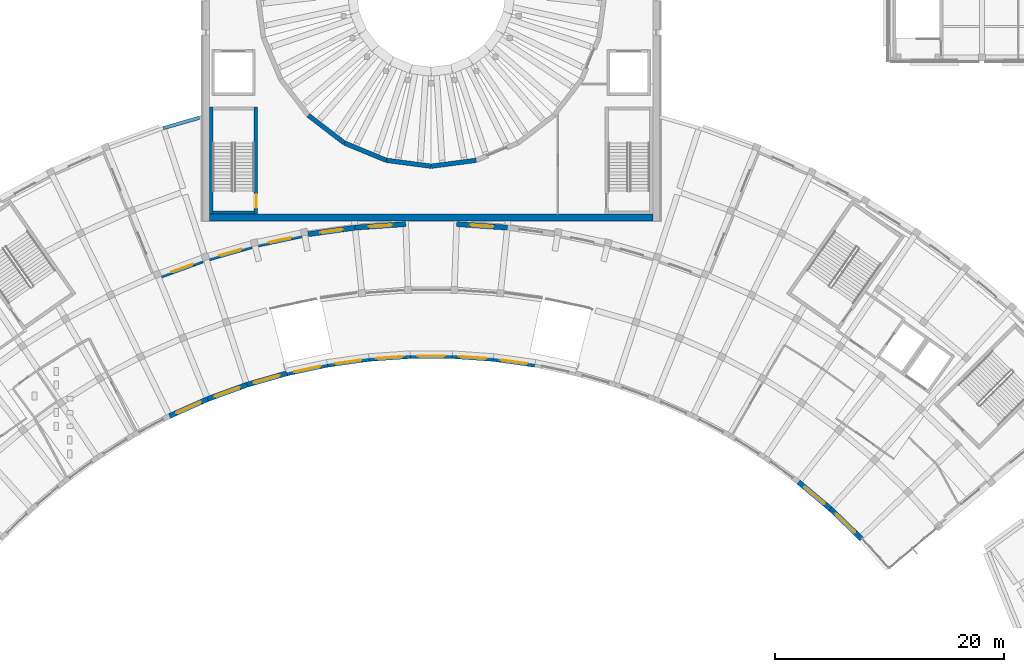
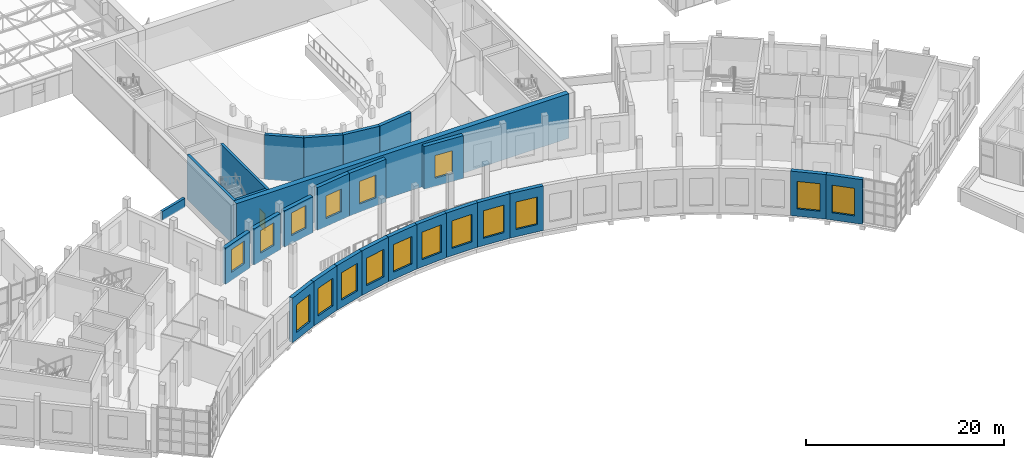
# One storey, part 70 of 132: 26 walls, 17 windows, 1 door, 18 openings.
"""IFC4 building model written with IfcOpenShell, lengths in metres."""

from ifc_helpers import new_model, si_unit, direction, frame, frame_2d, origin, place, context, subcontext, project, spatial, rectangle, extrude, material, layer, layer_set, type_object, element, fill, save


model = new_model("IFC4")

# Units and contexts
model_context = context("Model", 3, precision=1e-05, world=origin(), true_north=direction((0.0, 1.0)))
body_context = subcontext(model_context, "Body", "Model", "MODEL_VIEW")
ifc_project = project(units=[si_unit("LENGTHUNIT", "METRE"), si_unit("AREAUNIT", "SQUARE_METRE"), si_unit("VOLUMEUNIT", "CUBIC_METRE"), si_unit("PLANEANGLEUNIT", "RADIAN"), si_unit("MASSUNIT", "GRAM", prefix="KILO")], contexts=[model_context])

# Site, building, storey
site_placement = place(None, origin())
site = spatial("IfcSite", under=ifc_project, at=site_placement, CompositionType="ELEMENT")
building_placement = place(site_placement, origin())
building = spatial("IfcBuilding", under=site, at=building_placement, Name="Lunette Opera House", CompositionType="ELEMENT")
storey_placement = place(building_placement, frame((0.0, 0.0, 17.0)))
storey = spatial("IfcBuildingStorey", under=building, at=storey_placement, Name="L03", CompositionType="ELEMENT", Elevation=17.0)

# Wall, opening, window
ifc_material_1 = material(Name="Clinker brick", Category="masonry")
ifc_layer_1 = layer(ifc_material_1, 0.449951171875)
ifc_layer_set_1 = layer_set([ifc_layer_1], Name="Clinker brick")
wall_type_1 = type_object("IfcWallType", Name="ARM REAR WALL 450", PredefinedType="SOLIDWALL", material=ifc_layer_set_1)
wall_1_placement = place(storey_placement, frame((76.008056640625, 60.550048828125, 0.0), z_axis=(0.0, 0.0, 1.0), x_axis=(-0.939658091224, -0.342114997622, 0.0)))
wall_1 = element("IfcWall", 1, at=wall_1_placement, inside=storey, type_object=wall_type_1, Name="Arm Rear Wall 450 F01 L03", PredefinedType="SOLIDWALL", context=body_context, shape_type="SweptSolid", body=[
    extrude(rectangle(XDim=3.84716796875, YDim=0.449951171875, at=frame_2d((1.923583984375, 0.0))), origin(), (0.0, 0.0, 1.0), 4.47998046875),
])
opening_1_placement = place(wall_1_placement, frame((0.924072265625, 0.0, 1.0)))
opening_1 = element("IfcOpeningElement", 2, at=opening_1_placement, cuts=wall_1, Name="Opening FC-N2177", PredefinedType="OPENING", context=body_context, shape_type="SweptSolid", body=[
    extrude(rectangle(XDim=2.0, YDim=2.800048828125, at=frame_2d((1.0, 1.39990234375))), frame((0.0, 0.237060546875, 0.0), z_axis=(0.0, -1.0, 0.0), x_axis=(1.0, 0.0, 0.0)), (0.0, 0.0, 1.0), 0.473876953125),
])
ifc_material_2 = material(Name="Aluminium", Category="aluminium")
window_type_1 = type_object("IfcWindowType", Name="ARM WINDOW 2000 X 2800", PartitioningType="DOUBLE_PANEL_VERTICAL", PredefinedType="WINDOW", material=ifc_material_2)
window_1_placement = place(opening_1_placement, origin())
window_1 = element("IfcWindow", 3, at=window_1_placement, inside=storey, type_object=window_type_1, Name="Arm Window 2000 X 2800 F01 L03", OverallHeight=2.800048828125, OverallWidth=2.0, PartitioningType="DOUBLE_PANEL_VERTICAL", PredefinedType="WINDOW", context=body_context, shape_type="SweptSolid", body=[
    extrude(rectangle(XDim=2.0, YDim=2.800048828125, at=frame_2d((1.0, 1.39990234375))), frame((0.0, 0.030029296875, 0.0), z_axis=(0.0, -1.0, 0.0), x_axis=(1.0, 0.0, 0.0)), (0.0, 0.0, 1.0), 0.06005859375),
])
fill(opening_1, window_1)

wall_2_placement = place(storey_placement, frame((102.666015625, 63.425048828125, 0.0), z_axis=(0.0, 0.0, 1.0), x_axis=(-0.997555221145, 0.069882621343, 0.0)))
wall_2 = element("IfcWall", 4, at=wall_2_placement, inside=storey, type_object=wall_type_1, Name="Arm Rear Wall 450 F10 L03", PredefinedType="SOLIDWALL", context=body_context, shape_type="SweptSolid", body=[
    extrude(rectangle(XDim=4.450927734375, YDim=0.449951171875, at=frame_2d((2.2255859375, 0.0))), origin(), (0.0, 0.0, 1.0), 5.280029296875),
])
opening_2_placement = place(wall_2_placement, frame((1.22509765625, 0.0, 1.0)))
opening_2 = element("IfcOpeningElement", 5, at=opening_2_placement, cuts=wall_2, Name="Opening FC-N2186", PredefinedType="OPENING", context=body_context, shape_type="SweptSolid", body=[
    extrude(rectangle(XDim=2.0, YDim=2.800048828125, at=frame_2d((1.0, 1.39990234375))), frame((0.0, 0.237060546875, 0.0), z_axis=(0.0, -1.0, 0.0), x_axis=(1.0, 0.0, 0.0)), (0.0, 0.0, 1.0), 0.473876953125),
])
window_2_placement = place(opening_2_placement, origin())
window_2 = element("IfcWindow", 6, at=window_2_placement, inside=storey, type_object=window_type_1, Name="Arm Window 2000 X 2800 F10 L03", OverallHeight=2.800048828125, OverallWidth=2.0, PartitioningType="DOUBLE_PANEL_VERTICAL", PredefinedType="WINDOW", context=body_context, shape_type="SweptSolid", body=[
    extrude(rectangle(XDim=2.0, YDim=2.800048828125, at=frame_2d((1.0, 1.39990234375))), frame((0.0, 0.030029296875, 0.0), z_axis=(0.0, -1.0, 0.0), x_axis=(1.0, 0.0, 0.0)), (0.0, 0.0, 1.0), 0.06005859375),
])
fill(opening_2, window_2)

wall_3_placement = place(storey_placement, frame((93.77392578125, 63.736083984375, 0.0), z_axis=(0.0, 0.0, 1.0), x_axis=(-0.997555221145, -0.069882621343, 0.0)))
wall_3 = element("IfcWall", 7, at=wall_3_placement, inside=storey, type_object=wall_type_1, Name="Arm Rear Wall 450 F11 L03", PredefinedType="SOLIDWALL", context=body_context, shape_type="SweptSolid", body=[
    extrude(rectangle(XDim=4.450927734375, YDim=0.449951171875, at=frame_2d((2.2255859375, 0.0))), origin(), (0.0, 0.0, 1.0), 5.280029296875),
])
opening_3_placement = place(wall_3_placement, frame((1.22509765625, 0.0, 1.0)))
opening_3 = element("IfcOpeningElement", 8, at=opening_3_placement, cuts=wall_3, Name="Opening FC-N2187", PredefinedType="OPENING", context=body_context, shape_type="SweptSolid", body=[
    extrude(rectangle(XDim=2.0, YDim=2.800048828125, at=frame_2d((1.0, 1.39990234375))), frame((0.0, 0.237060546875, 0.0), z_axis=(0.0, -1.0, 0.0), x_axis=(1.0, 0.0, 0.0)), (0.0, 0.0, 1.0), 0.473876953125),
])
window_3_placement = place(opening_3_placement, origin())
window_3 = element("IfcWindow", 9, at=window_3_placement, inside=storey, type_object=window_type_1, Name="Arm Window 2000 X 2800 F11 L03", OverallHeight=2.800048828125, OverallWidth=2.0, PartitioningType="DOUBLE_PANEL_VERTICAL", PredefinedType="WINDOW", context=body_context, shape_type="SweptSolid", body=[
    extrude(rectangle(XDim=2.0, YDim=2.800048828125, at=frame_2d((1.0, 1.39990234375))), frame((0.0, 0.030029296875, 0.0), z_axis=(0.0, -1.0, 0.0), x_axis=(1.0, 0.0, 0.0)), (0.0, 0.0, 1.0), 0.06005859375),
])
fill(opening_3, window_3)

wall_4_placement = place(storey_placement, frame((89.333984375, 63.425048828125, 0.0), z_axis=(0.0, 0.0, 1.0), x_axis=(-0.990278626162, -0.139097960324, 0.0)))
wall_4 = element("IfcWall", 10, at=wall_4_placement, inside=storey, type_object=wall_type_1, Name="Arm Rear Wall 450 F12 L03", PredefinedType="SOLIDWALL", context=body_context, shape_type="SweptSolid", body=[
    extrude(rectangle(XDim=4.149169921875, YDim=0.449951171875, at=frame_2d((2.07470703125, 0.0))), origin(), (0.0, 0.0, 1.0), 5.280029296875),
])
opening_4_placement = place(wall_4_placement, frame((1.074951171875, 0.0, 1.0)))
opening_4 = element("IfcOpeningElement", 11, at=opening_4_placement, cuts=wall_4, Name="Opening FC-N2188", PredefinedType="OPENING", context=body_context, shape_type="SweptSolid", body=[
    extrude(rectangle(XDim=2.0, YDim=2.800048828125, at=frame_2d((1.0, 1.39990234375))), frame((0.0, 0.237060546875, 0.0), z_axis=(0.0, -1.0, 0.0), x_axis=(1.0, 0.0, 0.0)), (0.0, 0.0, 1.0), 0.473876953125),
])
window_4_placement = place(opening_4_placement, origin())
window_4 = element("IfcWindow", 12, at=window_4_placement, inside=storey, type_object=window_type_1, Name="Arm Window 2000 X 2800 F12 L03", OverallHeight=2.800048828125, OverallWidth=2.0, PartitioningType="DOUBLE_PANEL_VERTICAL", PredefinedType="WINDOW", context=body_context, shape_type="SweptSolid", body=[
    extrude(rectangle(XDim=2.0, YDim=2.800048828125, at=frame_2d((1.0, 1.39990234375))), frame((0.0, 0.030029296875, 0.0), z_axis=(0.0, -1.0, 0.0), x_axis=(1.0, 0.0, 0.0)), (0.0, 0.0, 1.0), 0.06005859375),
])
fill(opening_4, window_4)

wall_5_placement = place(storey_placement, frame((84.631103515625, 62.742919921875, 0.0), z_axis=(0.0, 0.0, 1.0), x_axis=(-0.978203666183, -0.207647748524, 0.0)))
wall_5 = element("IfcWall", 13, at=wall_5_placement, inside=storey, type_object=wall_type_1, Name="Arm Rear Wall 450 F13 L03", PredefinedType="SOLIDWALL", context=body_context, shape_type="SweptSolid", body=[
    extrude(rectangle(XDim=3.846923828125, YDim=0.449951171875, at=frame_2d((1.92333984375, 0.0))), origin(), (0.0, 0.0, 1.0), 4.47998046875),
])
opening_5_placement = place(wall_5_placement, frame((0.923095703125, 0.0, 1.0)))
opening_5 = element("IfcOpeningElement", 14, at=opening_5_placement, cuts=wall_5, Name="Opening FC-N2189", PredefinedType="OPENING", context=body_context, shape_type="SweptSolid", body=[
    extrude(rectangle(XDim=2.0, YDim=2.800048828125, at=frame_2d((1.0, 1.39990234375))), frame((0.0, 0.237060546875, 0.0), z_axis=(0.0, -1.0, 0.0), x_axis=(1.0, 0.0, 0.0)), (0.0, 0.0, 1.0), 0.473876953125),
])
window_5_placement = place(opening_5_placement, origin())
window_5 = element("IfcWindow", 15, at=window_5_placement, inside=storey, type_object=window_type_1, Name="Arm Window 2000 X 2800 F13 L03", OverallHeight=2.800048828125, OverallWidth=2.0, PartitioningType="DOUBLE_PANEL_VERTICAL", PredefinedType="WINDOW", context=body_context, shape_type="SweptSolid", body=[
    extrude(rectangle(XDim=2.0, YDim=2.800048828125, at=frame_2d((1.0, 1.39990234375))), frame((0.0, 0.030029296875, 0.0), z_axis=(0.0, -1.0, 0.0), x_axis=(1.0, 0.0, 0.0)), (0.0, 0.0, 1.0), 0.06005859375),
])
fill(opening_5, window_5)

wall_6_placement = place(storey_placement, frame((80.281005859375, 61.798095703125, 0.0), z_axis=(0.0, 0.0, 1.0), x_axis=(-0.961216829128, -0.275793776945, 0.0)))
wall_6 = element("IfcWall", 16, at=wall_6_placement, inside=storey, type_object=wall_type_1, Name="Arm Rear Wall 450 F14 L03", PredefinedType="SOLIDWALL", context=body_context, shape_type="SweptSolid", body=[
    extrude(rectangle(XDim=3.84716796875, YDim=0.449951171875, at=frame_2d((1.923583984375, 0.0))), origin(), (0.0, 0.0, 1.0), 4.47998046875),
])
opening_6_placement = place(wall_6_placement, frame((0.923095703125, 0.0, 1.0)))
opening_6 = element("IfcOpeningElement", 17, at=opening_6_placement, cuts=wall_6, Name="Opening FC-N2190", PredefinedType="OPENING", context=body_context, shape_type="SweptSolid", body=[
    extrude(rectangle(XDim=2.0, YDim=2.800048828125, at=frame_2d((1.0, 1.39990234375))), frame((0.0, 0.237060546875, 0.0), z_axis=(0.0, -1.0, 0.0), x_axis=(1.0, 0.0, 0.0)), (0.0, 0.0, 1.0), 0.473876953125),
])
window_6_placement = place(opening_6_placement, origin())
window_6 = element("IfcWindow", 18, at=window_6_placement, inside=storey, type_object=window_type_1, Name="Arm Window 2000 X 2800 F14 L03", OverallHeight=2.800048828125, OverallWidth=2.0, PartitioningType="DOUBLE_PANEL_VERTICAL", PredefinedType="WINDOW", context=body_context, shape_type="SweptSolid", body=[
    extrude(rectangle(XDim=2.0, YDim=2.800048828125, at=frame_2d((1.0, 1.39990234375))), frame((0.0, 0.030029296875, 0.0), z_axis=(0.0, -1.0, 0.0), x_axis=(1.0, 0.0, 0.0)), (0.0, 0.0, 1.0), 0.06005859375),
])
fill(opening_6, window_6)

ifc_material_3 = material(Name="Clinker brick", Category="masonry")
ifc_layer_2 = layer(ifc_material_3, 0.449951171875)
ifc_layer_set_2 = layer_set([ifc_layer_2], Name="Clinker brick")
wall_type_2 = type_object("IfcWallType", Name="CRESCENT BRICK WALL 450", PredefinedType="SOLIDWALL", material=ifc_layer_set_2)
wall_7_placement = place(storey_placement, frame((73.10595703125, 46.93994140625, 0.0), z_axis=(0.0, 0.0, 1.0), x_axis=(0.913593217191, 0.40662935642, 0.0)))
wall_7 = element("IfcWall", 19, at=wall_7_placement, inside=storey, type_object=wall_type_2, Name="Crescent Brick Wall 450 BW-A06 L03", PredefinedType="SOLIDWALL", context=body_context, shape_type="SweptSolid", body=[
    extrude(rectangle(XDim=3.64501953125, YDim=0.449951171875, at=frame_2d((1.822509765625, 0.0))), origin(), (0.0, 0.0, 1.0), 5.5),
])
opening_7_placement = place(wall_7_placement, frame((0.653076171875, 0.0, 0.89990234375)))
opening_7 = element("IfcOpeningElement", 20, at=opening_7_placement, cuts=wall_7, Name="Opening FC-N2017", PredefinedType="OPENING", context=body_context, shape_type="SweptSolid", body=[
    extrude(rectangle(XDim=2.340087890625, YDim=3.39990234375, at=frame_2d((1.169921875, 1.699951171875))), frame((0.0, 0.237060546875, 0.0), z_axis=(0.0, -1.0, 0.0), x_axis=(1.0, 0.0, 0.0)), (0.0, 0.0, 1.0), 0.473876953125),
])
ifc_material_4 = material(Name="Aluminium", Category="aluminium")
window_type_2 = type_object("IfcWindowType", Name="CHICAGO WINDOW 2340 X 3400", PartitioningType="TRIPLE_PANEL_VERTICAL", PredefinedType="WINDOW", material=ifc_material_4)
window_7_placement = place(opening_7_placement, origin())
window_7 = element("IfcWindow", 21, at=window_7_placement, inside=storey, type_object=window_type_2, Name="Chicago Window 2340 X 3400 BW-A06 L03", OverallHeight=3.39990234375, OverallWidth=2.340087890625, PartitioningType="TRIPLE_PANEL_VERTICAL", PredefinedType="WINDOW", context=body_context, shape_type="SweptSolid", body=[
    extrude(rectangle(XDim=2.340087890625, YDim=3.39990234375, at=frame_2d((1.169921875, 1.699951171875))), frame((0.0, 0.030029296875, 0.0), z_axis=(0.0, -1.0, 0.0), x_axis=(1.0, 0.0, 0.0)), (0.0, 0.0, 1.0), 0.06005859375),
])
fill(opening_7, window_7)

wall_8_placement = place(storey_placement, frame((76.43603515625, 48.422119140625, 0.0), z_axis=(0.0, 0.0, 1.0), x_axis=(0.939705410483, 0.341985001877, 0.0)))
wall_8 = element("IfcWall", 22, at=wall_8_placement, inside=storey, type_object=wall_type_2, Name="Crescent Brick Wall 450 BW-A07 L03", PredefinedType="SOLIDWALL", context=body_context, shape_type="SweptSolid", body=[
    extrude(rectangle(XDim=3.645751953125, YDim=0.449951171875, at=frame_2d((1.82275390625, 0.0))), origin(), (0.0, 0.0, 1.0), 5.5),
])
opening_8_placement = place(wall_8_placement, frame((0.653076171875, 0.0, 0.89990234375)))
opening_8 = element("IfcOpeningElement", 23, at=opening_8_placement, cuts=wall_8, Name="Opening FC-N2020", PredefinedType="OPENING", context=body_context, shape_type="SweptSolid", body=[
    extrude(rectangle(XDim=2.340087890625, YDim=3.39990234375, at=frame_2d((1.169921875, 1.699951171875))), frame((0.0, 0.237060546875, 0.0), z_axis=(0.0, -1.0, 0.0), x_axis=(1.0, 0.0, 0.0)), (0.0, 0.0, 1.0), 0.473876953125),
])
window_8_placement = place(opening_8_placement, origin())
window_8 = element("IfcWindow", 24, at=window_8_placement, inside=storey, type_object=window_type_2, Name="Chicago Window 2340 X 3400 BW-A07 L03", OverallHeight=3.39990234375, OverallWidth=2.340087890625, PartitioningType="TRIPLE_PANEL_VERTICAL", PredefinedType="WINDOW", context=body_context, shape_type="SweptSolid", body=[
    extrude(rectangle(XDim=2.340087890625, YDim=3.39990234375, at=frame_2d((1.169921875, 1.699951171875))), frame((0.0, 0.030029296875, 0.0), z_axis=(0.0, -1.0, 0.0), x_axis=(1.0, 0.0, 0.0)), (0.0, 0.0, 1.0), 0.06005859375),
])
fill(opening_8, window_8)

wall_9_placement = place(storey_placement, frame((79.862060546875, 49.6689453125, 0.0), z_axis=(0.0, 0.0, 1.0), x_axis=(0.961232761004, 0.275738243942, 0.0)))
wall_9 = element("IfcWall", 25, at=wall_9_placement, inside=storey, type_object=wall_type_2, Name="Crescent Brick Wall 450 BW-A08 L03", PredefinedType="SOLIDWALL", context=body_context, shape_type="SweptSolid", body=[
    extrude(rectangle(XDim=3.645263671875, YDim=0.449951171875, at=frame_2d((1.82275390625, 0.0))), origin(), (0.0, 0.0, 1.0), 5.5),
])
opening_9_placement = place(wall_9_placement, frame((0.653076171875, 0.0, 0.89990234375)))
opening_9 = element("IfcOpeningElement", 26, at=opening_9_placement, cuts=wall_9, Name="Opening FC-N2023", PredefinedType="OPENING", context=body_context, shape_type="SweptSolid", body=[
    extrude(rectangle(XDim=2.340087890625, YDim=3.39990234375, at=frame_2d((1.169921875, 1.699951171875))), frame((0.0, 0.237060546875, 0.0), z_axis=(0.0, -1.0, 0.0), x_axis=(1.0, 0.0, 0.0)), (0.0, 0.0, 1.0), 0.473876953125),
])
window_9_placement = place(opening_9_placement, origin())
window_9 = element("IfcWindow", 27, at=window_9_placement, inside=storey, type_object=window_type_2, Name="Chicago Window 2340 X 3400 BW-A08 L03", OverallHeight=3.39990234375, OverallWidth=2.340087890625, PartitioningType="TRIPLE_PANEL_VERTICAL", PredefinedType="WINDOW", context=body_context, shape_type="SweptSolid", body=[
    extrude(rectangle(XDim=2.340087890625, YDim=3.39990234375, at=frame_2d((1.169921875, 1.699951171875))), frame((0.0, 0.030029296875, 0.0), z_axis=(0.0, -1.0, 0.0), x_axis=(1.0, 0.0, 0.0)), (0.0, 0.0, 1.0), 0.06005859375),
])
fill(opening_9, window_9)

wall_10_placement = place(storey_placement, frame((83.365966796875, 50.674072265625, 0.0), z_axis=(0.0, 0.0, 1.0), x_axis=(0.97814420729, 0.207927655077, 0.0)))
wall_10 = element("IfcWall", 28, at=wall_10_placement, inside=storey, type_object=wall_type_2, Name="Crescent Brick Wall 450 BW-A09 L03", PredefinedType="SOLIDWALL", context=body_context, shape_type="SweptSolid", body=[
    extrude(rectangle(XDim=3.64453125, YDim=0.449951171875, at=frame_2d((1.822265625, 0.0))), origin(), (0.0, 0.0, 1.0), 5.5),
])
opening_10_placement = place(wall_10_placement, frame((0.653076171875, 0.0, 0.89990234375)))
opening_10 = element("IfcOpeningElement", 29, at=opening_10_placement, cuts=wall_10, Name="Opening FC-N2026", PredefinedType="OPENING", context=body_context, shape_type="SweptSolid", body=[
    extrude(rectangle(XDim=2.340087890625, YDim=3.39990234375, at=frame_2d((1.169921875, 1.699951171875))), frame((0.0, 0.237060546875, 0.0), z_axis=(0.0, -1.0, 0.0), x_axis=(1.0, 0.0, 0.0)), (0.0, 0.0, 1.0), 0.473876953125),
])
window_10_placement = place(opening_10_placement, origin())
window_10 = element("IfcWindow", 30, at=window_10_placement, inside=storey, type_object=window_type_2, Name="Chicago Window 2340 X 3400 BW-A09 L03", OverallHeight=3.39990234375, OverallWidth=2.340087890625, PartitioningType="TRIPLE_PANEL_VERTICAL", PredefinedType="WINDOW", context=body_context, shape_type="SweptSolid", body=[
    extrude(rectangle(XDim=2.340087890625, YDim=3.39990234375, at=frame_2d((1.169921875, 1.699951171875))), frame((0.0, 0.030029296875, 0.0), z_axis=(0.0, -1.0, 0.0), x_axis=(1.0, 0.0, 0.0)), (0.0, 0.0, 1.0), 0.06005859375),
])
fill(opening_10, window_10)

wall_11_placement = place(storey_placement, frame((86.930908203125, 51.431884765625, 0.0), z_axis=(0.0, 0.0, 1.0), x_axis=(0.990278932008, 0.139095782903, 0.0)))
wall_11 = element("IfcWall", 31, at=wall_11_placement, inside=storey, type_object=wall_type_2, Name="Crescent Brick Wall 450 BW-A10 L03", PredefinedType="SOLIDWALL", context=body_context, shape_type="SweptSolid", body=[
    extrude(rectangle(XDim=3.6455078125, YDim=0.449951171875, at=frame_2d((1.82275390625, 0.0))), origin(), (0.0, 0.0, 1.0), 5.5),
])
opening_11_placement = place(wall_11_placement, frame((0.653076171875, 0.0, 0.89990234375)))
opening_11 = element("IfcOpeningElement", 32, at=opening_11_placement, cuts=wall_11, Name="Opening FC-N2029", PredefinedType="OPENING", context=body_context, shape_type="SweptSolid", body=[
    extrude(rectangle(XDim=2.340087890625, YDim=3.39990234375, at=frame_2d((1.169921875, 1.699951171875))), frame((0.0, 0.237060546875, 0.0), z_axis=(0.0, -1.0, 0.0), x_axis=(1.0, 0.0, 0.0)), (0.0, 0.0, 1.0), 0.473876953125),
])
window_11_placement = place(opening_11_placement, origin())
window_11 = element("IfcWindow", 33, at=window_11_placement, inside=storey, type_object=window_type_2, Name="Chicago Window 2340 X 3400 BW-A10 L03", OverallHeight=3.39990234375, OverallWidth=2.340087890625, PartitioningType="TRIPLE_PANEL_VERTICAL", PredefinedType="WINDOW", context=body_context, shape_type="SweptSolid", body=[
    extrude(rectangle(XDim=2.340087890625, YDim=3.39990234375, at=frame_2d((1.169921875, 1.699951171875))), frame((0.0, 0.030029296875, 0.0), z_axis=(0.0, -1.0, 0.0), x_axis=(1.0, 0.0, 0.0)), (0.0, 0.0, 1.0), 0.06005859375),
])
fill(opening_11, window_11)

wall_12_placement = place(storey_placement, frame((90.541015625, 51.93896484375, 0.0), z_axis=(0.0, 0.0, 1.0), x_axis=(0.99756600756, 0.069728477397, 0.0)))
wall_12 = element("IfcWall", 34, at=wall_12_placement, inside=storey, type_object=wall_type_2, Name="Crescent Brick Wall 450 BW-A11 L03", PredefinedType="SOLIDWALL", context=body_context, shape_type="SweptSolid", body=[
    extrude(rectangle(XDim=3.644775390625, YDim=0.449951171875, at=frame_2d((1.822265625, 0.0))), origin(), (0.0, 0.0, 1.0), 5.5),
])
opening_12_placement = place(wall_12_placement, frame((0.653076171875, 0.0, 0.89990234375)))
opening_12 = element("IfcOpeningElement", 35, at=opening_12_placement, cuts=wall_12, Name="Opening FC-N2032", PredefinedType="OPENING", context=body_context, shape_type="SweptSolid", body=[
    extrude(rectangle(XDim=2.340087890625, YDim=3.39990234375, at=frame_2d((1.169921875, 1.699951171875))), frame((0.0, 0.237060546875, 0.0), z_axis=(0.0, -1.0, 0.0), x_axis=(1.0, 0.0, 0.0)), (0.0, 0.0, 1.0), 0.473876953125),
])
window_12_placement = place(opening_12_placement, origin())
window_12 = element("IfcWindow", 36, at=window_12_placement, inside=storey, type_object=window_type_2, Name="Chicago Window 2340 X 3400 BW-A11 L03", OverallHeight=3.39990234375, OverallWidth=2.340087890625, PartitioningType="TRIPLE_PANEL_VERTICAL", PredefinedType="WINDOW", context=body_context, shape_type="SweptSolid", body=[
    extrude(rectangle(XDim=2.340087890625, YDim=3.39990234375, at=frame_2d((1.169921875, 1.699951171875))), frame((0.0, 0.030029296875, 0.0), z_axis=(0.0, -1.0, 0.0), x_axis=(1.0, 0.0, 0.0)), (0.0, 0.0, 1.0), 0.06005859375),
])
fill(opening_12, window_12)

wall_13_placement = place(storey_placement, frame((94.177001953125, 52.193115234375, 0.0), z_axis=(0.0, 0.0, 1.0), x_axis=(1.0, 0.0, 0.0)))
wall_13 = element("IfcWall", 37, at=wall_13_placement, inside=storey, type_object=wall_type_2, Name="Crescent Brick Wall 450 BW-A12 L03", PredefinedType="SOLIDWALL", context=body_context, shape_type="SweptSolid", body=[
    extrude(rectangle(XDim=3.64599609375, YDim=0.449951171875, at=frame_2d((1.822998046875, 0.0))), origin(), (0.0, 0.0, 1.0), 5.5),
])
opening_13_placement = place(wall_13_placement, frame((0.653076171875, 0.0, 0.89990234375)))
opening_13 = element("IfcOpeningElement", 38, at=opening_13_placement, cuts=wall_13, Name="Opening FC-N2035", PredefinedType="OPENING", context=body_context, shape_type="SweptSolid", body=[
    extrude(rectangle(XDim=2.340087890625, YDim=3.39990234375, at=frame_2d((1.169921875, 1.699951171875))), frame((0.0, 0.237060546875, 0.0), z_axis=(0.0, -1.0, 0.0), x_axis=(1.0, 0.0, 0.0)), (0.0, 0.0, 1.0), 0.473876953125),
])
window_13_placement = place(opening_13_placement, origin())
window_13 = element("IfcWindow", 39, at=window_13_placement, inside=storey, type_object=window_type_2, Name="Chicago Window 2340 X 3400 BW-A12 L03", OverallHeight=3.39990234375, OverallWidth=2.340087890625, PartitioningType="TRIPLE_PANEL_VERTICAL", PredefinedType="WINDOW", context=body_context, shape_type="SweptSolid", body=[
    extrude(rectangle(XDim=2.340087890625, YDim=3.39990234375, at=frame_2d((1.169921875, 1.699951171875))), frame((0.0, 0.030029296875, 0.0), z_axis=(0.0, -1.0, 0.0), x_axis=(1.0, 0.0, 0.0)), (0.0, 0.0, 1.0), 0.06005859375),
])
fill(opening_13, window_13)

wall_14_placement = place(storey_placement, frame((97.822998046875, 52.193115234375, 0.0), z_axis=(0.0, 0.0, 1.0), x_axis=(0.99756600756, -0.069728477397, 0.0)))
wall_14 = element("IfcWall", 40, at=wall_14_placement, inside=storey, type_object=wall_type_2, Name="Crescent Brick Wall 450 BW-A13 L03", PredefinedType="SOLIDWALL", context=body_context, shape_type="SweptSolid", body=[
    extrude(rectangle(XDim=3.644775390625, YDim=0.449951171875, at=frame_2d((1.822265625, 0.0))), origin(), (0.0, 0.0, 1.0), 5.5),
])
opening_14_placement = place(wall_14_placement, frame((0.653076171875, 0.0, 0.89990234375)))
opening_14 = element("IfcOpeningElement", 41, at=opening_14_placement, cuts=wall_14, Name="Opening FC-N2038", PredefinedType="OPENING", context=body_context, shape_type="SweptSolid", body=[
    extrude(rectangle(XDim=2.340087890625, YDim=3.39990234375, at=frame_2d((1.169921875, 1.699951171875))), frame((0.0, 0.237060546875, 0.0), z_axis=(0.0, -1.0, 0.0), x_axis=(1.0, 0.0, 0.0)), (0.0, 0.0, 1.0), 0.473876953125),
])
window_14_placement = place(opening_14_placement, origin())
window_14 = element("IfcWindow", 42, at=window_14_placement, inside=storey, type_object=window_type_2, Name="Chicago Window 2340 X 3400 BW-A13 L03", OverallHeight=3.39990234375, OverallWidth=2.340087890625, PartitioningType="TRIPLE_PANEL_VERTICAL", PredefinedType="WINDOW", context=body_context, shape_type="SweptSolid", body=[
    extrude(rectangle(XDim=2.340087890625, YDim=3.39990234375, at=frame_2d((1.169921875, 1.699951171875))), frame((0.0, 0.030029296875, 0.0), z_axis=(0.0, -1.0, 0.0), x_axis=(1.0, 0.0, 0.0)), (0.0, 0.0, 1.0), 0.06005859375),
])
fill(opening_14, window_14)

wall_15_placement = place(storey_placement, frame((101.458984375, 51.93896484375, 0.0), z_axis=(0.0, 0.0, 1.0), x_axis=(0.990278932008, -0.139095782903, 0.0)))
wall_15 = element("IfcWall", 43, at=wall_15_placement, inside=storey, type_object=wall_type_2, Name="Crescent Brick Wall 450 BW-A14 L03", PredefinedType="SOLIDWALL", context=body_context, shape_type="SweptSolid", body=[
    extrude(rectangle(XDim=3.6455078125, YDim=0.449951171875, at=frame_2d((1.82275390625, 0.0))), origin(), (0.0, 0.0, 1.0), 5.5),
])
opening_15_placement = place(wall_15_placement, frame((0.653076171875, 0.0, 0.89990234375)))
opening_15 = element("IfcOpeningElement", 44, at=opening_15_placement, cuts=wall_15, Name="Opening FC-N2041", PredefinedType="OPENING", context=body_context, shape_type="SweptSolid", body=[
    extrude(rectangle(XDim=2.340087890625, YDim=3.39990234375, at=frame_2d((1.169921875, 1.699951171875))), frame((0.0, 0.237060546875, 0.0), z_axis=(0.0, -1.0, 0.0), x_axis=(1.0, 0.0, 0.0)), (0.0, 0.0, 1.0), 0.473876953125),
])
window_15_placement = place(opening_15_placement, origin())
window_15 = element("IfcWindow", 45, at=window_15_placement, inside=storey, type_object=window_type_2, Name="Chicago Window 2340 X 3400 BW-A14 L03", OverallHeight=3.39990234375, OverallWidth=2.340087890625, PartitioningType="TRIPLE_PANEL_VERTICAL", PredefinedType="WINDOW", context=body_context, shape_type="SweptSolid", body=[
    extrude(rectangle(XDim=2.340087890625, YDim=3.39990234375, at=frame_2d((1.169921875, 1.699951171875))), frame((0.0, 0.030029296875, 0.0), z_axis=(0.0, -1.0, 0.0), x_axis=(1.0, 0.0, 0.0)), (0.0, 0.0, 1.0), 0.06005859375),
])
fill(opening_15, window_15)

wall_16_placement = place(storey_placement, frame((128.153076171875, 41.154052734375, 0.0), z_axis=(0.0, 0.0, 1.0), x_axis=(0.766009592259, -0.642829141038, 0.0)))
wall_16 = element("IfcWall", 46, at=wall_16_placement, inside=storey, type_object=wall_type_2, Name="Crescent Brick Wall 450 BW-A22 L03", PredefinedType="SOLIDWALL", context=body_context, shape_type="SweptSolid", body=[
    extrude(rectangle(XDim=3.644775390625, YDim=0.449951171875, at=frame_2d((1.822265625, 0.0))), origin(), (0.0, 0.0, 1.0), 5.5),
])
opening_16_placement = place(wall_16_placement, frame((0.653076171875, 0.0, 0.89990234375)))
opening_16 = element("IfcOpeningElement", 47, at=opening_16_placement, cuts=wall_16, Name="Opening FC-N2065", PredefinedType="OPENING", context=body_context, shape_type="SweptSolid", body=[
    extrude(rectangle(XDim=2.340087890625, YDim=3.39990234375, at=frame_2d((1.169921875, 1.699951171875))), frame((0.0, 0.237060546875, 0.0), z_axis=(0.0, -1.0, 0.0), x_axis=(1.0, 0.0, 0.0)), (0.0, 0.0, 1.0), 0.473876953125),
])
window_16_placement = place(opening_16_placement, origin())
window_16 = element("IfcWindow", 48, at=window_16_placement, inside=storey, type_object=window_type_2, Name="Chicago Window 2340 X 3400 BW-A22 L03", OverallHeight=3.39990234375, OverallWidth=2.340087890625, PartitioningType="TRIPLE_PANEL_VERTICAL", PredefinedType="WINDOW", context=body_context, shape_type="SweptSolid", body=[
    extrude(rectangle(XDim=2.340087890625, YDim=3.39990234375, at=frame_2d((1.169921875, 1.699951171875))), frame((0.0, 0.030029296875, 0.0), z_axis=(0.0, -1.0, 0.0), x_axis=(1.0, 0.0, 0.0)), (0.0, 0.0, 1.0), 0.06005859375),
])
fill(opening_16, window_16)

wall_17_placement = place(storey_placement, frame((130.945068359375, 38.81103515625, 0.0), z_axis=(0.0, 0.0, 1.0), x_axis=(0.719395911917, -0.694600260522, 0.0)))
wall_17 = element("IfcWall", 49, at=wall_17_placement, inside=storey, type_object=wall_type_2, Name="Crescent Brick Wall 450 BW-A23 L03", PredefinedType="SOLIDWALL", context=body_context, shape_type="SweptSolid", body=[
    extrude(rectangle(XDim=3.790771484375, YDim=0.449951171875, at=frame_2d((1.8955078125, 0.0))), origin(), (0.0, 0.0, 1.0), 5.5),
])
opening_17_placement = place(wall_17_placement, frame((0.653076171875, 0.0, 0.89990234375)))
opening_17 = element("IfcOpeningElement", 50, at=opening_17_placement, cuts=wall_17, Name="Opening FC-N2068", PredefinedType="OPENING", context=body_context, shape_type="SweptSolid", body=[
    extrude(rectangle(XDim=2.340087890625, YDim=3.39990234375, at=frame_2d((1.169921875, 1.699951171875))), frame((0.0, 0.237060546875, 0.0), z_axis=(0.0, -1.0, 0.0), x_axis=(1.0, 0.0, 0.0)), (0.0, 0.0, 1.0), 0.473876953125),
])
window_17_placement = place(opening_17_placement, origin())
window_17 = element("IfcWindow", 51, at=window_17_placement, inside=storey, type_object=window_type_2, Name="Chicago Window 2340 X 3400 BW-A23 L03", OverallHeight=3.39990234375, OverallWidth=2.340087890625, PartitioningType="TRIPLE_PANEL_VERTICAL", PredefinedType="WINDOW", context=body_context, shape_type="SweptSolid", body=[
    extrude(rectangle(XDim=2.340087890625, YDim=3.39990234375, at=frame_2d((1.169921875, 1.699951171875))), frame((0.0, 0.030029296875, 0.0), z_axis=(0.0, -1.0, 0.0), x_axis=(1.0, 0.0, 0.0)), (0.0, 0.0, 1.0), 0.06005859375),
])
fill(opening_17, window_17)

# Wall, opening, door
ifc_material_5 = material(Name="Concrete C35/45", Category="concrete")
ifc_layer_3 = layer(ifc_material_5, 0.300048828125)
ifc_layer_set_3 = layer_set([ifc_layer_3], Name="Concrete C35/45")
wall_type_3 = type_object("IfcWallType", Name="RC STAIR ENCLOSURE WALL 300", PredefinedType="SOLIDWALL", material=ifc_layer_set_3)
wall_18_placement = place(storey_placement, frame((80.64990234375, 64.60009765625, 0.0), z_axis=(0.0, 0.0, 1.0), x_axis=(0.0, 1.0, 0.0)))
wall_18 = element("IfcWall", 52, at=wall_18_placement, inside=storey, type_object=wall_type_3, Name="ST7 enclosure wall 1", PredefinedType="SOLIDWALL", context=body_context, shape_type="SweptSolid", body=[
    extrude(rectangle(XDim=9.39990234375, YDim=0.300048828125, at=frame_2d((4.699951171875, 0.0))), origin(), (0.0, 0.0, 1.0), 5.5),
])
opening_18_placement = place(wall_18_placement, frame((0.56005859375, 0.0, 0.0)))
opening_18 = element("IfcOpeningElement", 53, at=opening_18_placement, cuts=wall_18, Name="Opening AU-D7011", PredefinedType="OPENING", context=body_context, shape_type="SweptSolid", body=[
    extrude(rectangle(XDim=1.199951171875, YDim=2.10009765625, at=frame_2d((0.60009765625, 1.050048828125))), frame((0.0, 0.162109375, 0.0), z_axis=(0.0, -1.0, 0.0), x_axis=(1.0, 0.0, 0.0)), (0.0, 0.0, 1.0), 0.323974609375),
])
ifc_material_6 = material(Name="Steel", Category="steel")
door_type = type_object("IfcDoorType", Name="FIRE DOOR 1200 X 2100", OperationType="SINGLE_SWING_LEFT", PredefinedType="DOOR", material=ifc_material_6)
door_placement = place(opening_18_placement, origin())
door = element("IfcDoor", 54, at=door_placement, inside=storey, type_object=door_type, Name="ST7 stair door", OperationType="SINGLE_SWING_LEFT", OverallHeight=2.10009765625, OverallWidth=1.199951171875, PredefinedType="DOOR", context=body_context, shape_type="SweptSolid", body=[
    extrude(rectangle(XDim=1.199951171875, YDim=2.10009765625, at=frame_2d((0.60009765625, 1.050048828125))), frame((0.0, 0.02490234375, 0.0), z_axis=(0.0, -1.0, 0.0), x_axis=(1.0, 0.0, 0.0)), (0.0, 0.0, 1.0), 0.050048828125),
])
fill(opening_18, door)

# Walls
wall_19_placement = place(storey_placement, frame((76.75, 74.0, 0.0), z_axis=(0.0, 0.0, 1.0), x_axis=(0.0, -1.0, 0.0)))
element("IfcWall", 55, at=wall_19_placement, inside=storey, type_object=wall_type_3, Name="ST7 enclosure wall 3", PredefinedType="SOLIDWALL", context=body_context, shape_type="SweptSolid", body=[
    extrude(rectangle(XDim=9.39990234375, YDim=0.300048828125, at=frame_2d((4.699951171875, 0.0))), origin(), (0.0, 0.0, 1.0), 5.5),
])
wall_20_placement = place(storey_placement, frame((76.89990234375, 64.75, 0.0), z_axis=(0.0, 0.0, 1.0), x_axis=(1.0, 0.0, 0.0)))
element("IfcWall", 56, at=wall_20_placement, inside=storey, type_object=wall_type_3, Name="ST7 enclosure wall 4", PredefinedType="SOLIDWALL", context=body_context, shape_type="SweptSolid", body=[
    extrude(rectangle(XDim=3.60009765625, YDim=0.300048828125, at=frame_2d((1.800048828125, 0.0))), origin(), (0.0, 0.0, 1.0), 5.5),
])
ifc_material_7 = material(Name="Concrete C35/45", Category="concrete")
ifc_layer_4 = layer(ifc_material_7, 0.39990234375)
ifc_layer_set_4 = layer_set([ifc_layer_4], Name="Concrete C35/45")
wall_type_4 = type_object("IfcWallType", Name="RC WALL 400", PredefinedType="SHEAR", material=ifc_layer_set_4)
wall_21_placement = place(storey_placement, frame((85.25, 73.25, 0.0), z_axis=(0.0, 0.0, 1.0), x_axis=(0.793501388766, -0.608568439888, 0.0)))
element("IfcWall", 57, at=wall_21_placement, inside=storey, type_object=wall_type_4, Name="wall-AU-L03-HW05", PredefinedType="SHEAR", context=body_context, shape_type="SweptSolid", body=[
    extrude(rectangle(XDim=3.968505859375, YDim=0.39990234375, at=frame_2d((1.984375, 0.0))), origin(), (0.0, 0.0, 1.0), 5.5),
])
wall_22_placement = place(storey_placement, frame((88.39892578125, 70.8349609375, 0.0), z_axis=(0.0, 0.0, 1.0), x_axis=(0.923868391388, -0.38271032831, 0.0)))
element("IfcWall", 58, at=wall_22_placement, inside=storey, type_object=wall_type_4, Name="wall-AU-L03-HW06", PredefinedType="SHEAR", context=body_context, shape_type="SweptSolid", body=[
    extrude(rectangle(XDim=3.96923828125, YDim=0.39990234375, at=frame_2d((1.984619140625, 0.0))), origin(), (0.0, 0.0, 1.0), 5.5),
])
for number, where, z_axis, x_axis, name in (
    (59, (92.06591796875, 69.31591796875, 0.0), (0.0, 0.0, 1.0), (0.991448430824, -0.13049907669, 0.0), "wall-AU-L03-HW07"),
    (60, (96.0, 68.798095703125, 0.0), (0.0, 0.0, 1.0), (0.991448430824, 0.13049907669, 0.0), "wall-AU-L03-HW08"),
):
    element("IfcWall", number, at=place(storey_placement, frame(where, z_axis=z_axis, x_axis=x_axis)), inside=storey, type_object=wall_type_4, Name=name, PredefinedType="SHEAR", context=body_context, shape_type="SweptSolid", body=[
        extrude(rectangle(XDim=3.968017578125, YDim=0.39990234375, at=frame_2d((1.98388671875, 0.0))), origin(), (0.0, 0.0, 1.0), 5.5),
    ])
ifc_material_8 = material(Name="Concrete C35/45", Category="concrete")
ifc_layer_5 = layer(ifc_material_8, 0.60009765625)
ifc_layer_set_5 = layer_set([ifc_layer_5], Name="Concrete C35/45")
wall_type_5 = type_object("IfcWallType", Name="RC WALL 600", PredefinedType="SHEAR", material=ifc_layer_set_5)
wall_23_placement = place(storey_placement, frame((76.60009765625, 64.300048828125, 0.0), z_axis=(0.0, 0.0, 1.0), x_axis=(1.0, 0.0, 0.0)))
element("IfcWall", 61, at=wall_23_placement, inside=storey, type_object=wall_type_5, Name="wall-AU-L03-WS", PredefinedType="SHEAR", context=body_context, shape_type="SweptSolid", body=[
    extrude(rectangle(XDim=38.7998046875, YDim=0.60009765625, at=frame_2d((19.39990234375, 0.0))), origin(), (0.0, 0.0, 1.0), 5.5),
])
ifc_material_9 = material(Name="Clinker brick", Category="masonry")
ifc_layer_6 = layer(ifc_material_9, 0.300048828125)
ifc_layer_set_6 = layer_set([ifc_layer_6], Name="Clinker brick")
wall_type_6 = type_object("IfcWallType", Name="ROOF PARAPET WALL 300", PredefinedType="PARAPET", material=ifc_layer_set_6)
wall_24_placement = place(storey_placement, frame((75.7060546875, 73.0400390625, 0.0), z_axis=(0.0, 0.0, 1.0), x_axis=(-0.961159898643, -0.275992118078, 0.0)))
element("IfcWall", 62, at=wall_24_placement, inside=storey, type_object=wall_type_6, Name="Roof Parapet Wall 300 PA-L02-01 L03", PredefinedType="PARAPET", context=body_context, shape_type="SweptSolid", body=[
    extrude(rectangle(XDim=3.272216796875, YDim=0.300048828125, at=frame_2d((1.63623046875, 0.0))), origin(), (0.0, 0.0, 1.0), 1.10009765625),
])

save(model, "model.ifc")
